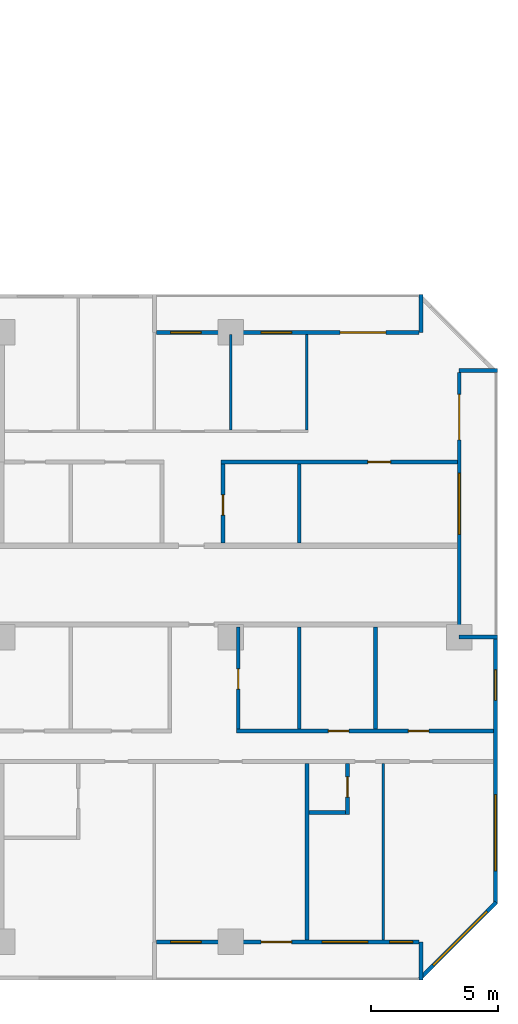
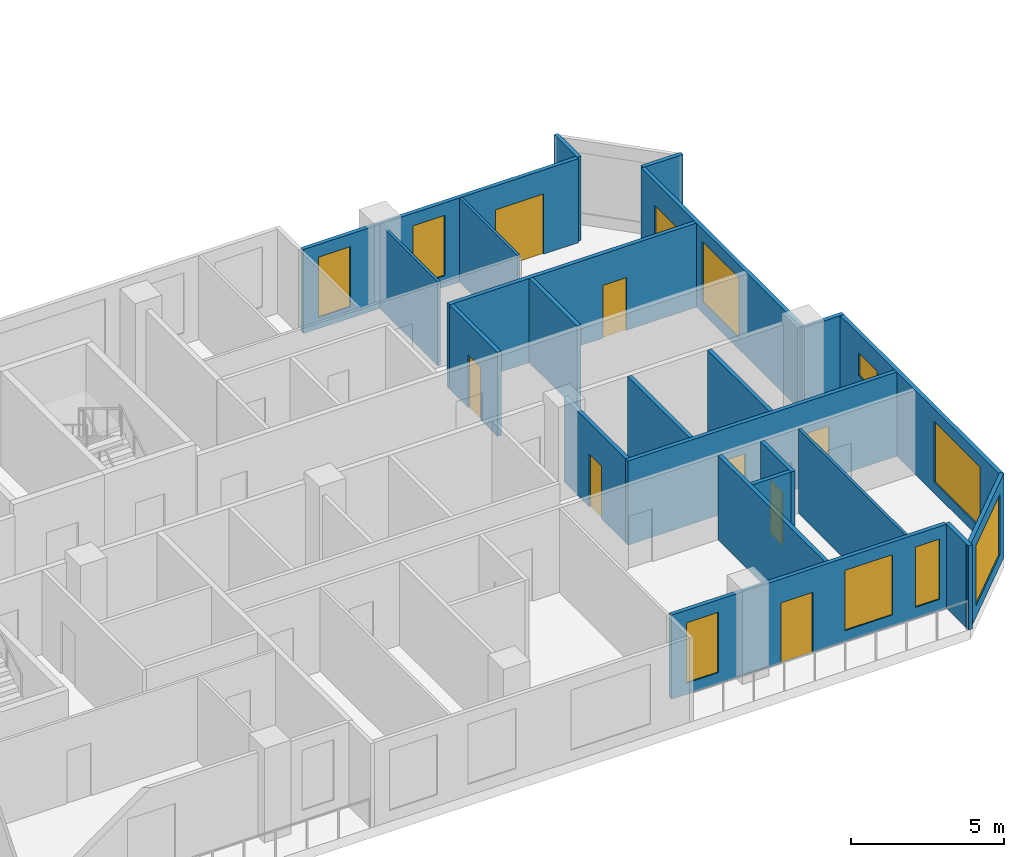
# One storey, part 12 of 15: 22 walls, 9 doors, 9 windows, 18 openings.
"""IFC4 building model written with IfcOpenShell, lengths in metres."""

from ifc_helpers import new_model, si_unit, direction, frame, frame_2d, origin, place, context, subcontext, project, spatial, rectangle, extrude, material, layer, layer_set, type_object, element, fill, save


model = new_model("IFC4")

# Units and contexts
model_context = context("Model", 3, precision=1e-05, world=origin(), true_north=direction((0.0, 1.0)))
body_context = subcontext(model_context, "Body", "Model", "MODEL_VIEW")
ifc_project = project(units=[si_unit("LENGTHUNIT", "METRE"), si_unit("AREAUNIT", "SQUARE_METRE"), si_unit("VOLUMEUNIT", "CUBIC_METRE"), si_unit("PLANEANGLEUNIT", "RADIAN"), si_unit("MASSUNIT", "GRAM", prefix="KILO")], contexts=[model_context])

# Site, building, storey
site_placement = place(None, origin())
site = spatial("IfcSite", under=ifc_project, at=site_placement, CompositionType="ELEMENT")
building_placement = place(site_placement, origin())
building = spatial("IfcBuilding", under=site, at=building_placement, Name="Chenar Terraces", CompositionType="ELEMENT")
storey_placement = place(building_placement, frame((0.0, 0.0, 118.14990234375)))
storey = spatial("IfcBuildingStorey", under=building, at=storey_placement, Name="L27", CompositionType="ELEMENT", Elevation=118.14990234375)

# Wall, openings, windows
ifc_material_1 = material(Name="Aluminium framed glazing", Category="aluminium")
ifc_layer_1 = layer(ifc_material_1, 0.14990234375)
ifc_layer_set_1 = layer_set([ifc_layer_1], Name="Aluminium framed glazing")
wall_type_1 = type_object("IfcWallType", Name="Glazed flush facade wall 150", PredefinedType="SOLIDWALL", material=ifc_layer_set_1)
wall_1_placement = place(storey_placement, frame((73.425048828125, 1.5, 0.0), z_axis=(0.0, 0.0, 1.0), x_axis=(0.0, 1.0, 0.0)))
wall_1 = element("IfcWall", 1, at=wall_1_placement, inside=storey, type_object=wall_type_1, Name="Glazed flush facade wall", PredefinedType="SOLIDWALL", context=body_context, shape_type="SweptSolid", body=[
    extrude(rectangle(XDim=10.425048828125, YDim=0.14990234375, at=frame_2d((5.21240234375, 0.0))), origin(), (0.0, 0.0, 1.0), 3.35009765625),
])
opening_1_placement = place(wall_1_placement, frame((1.300048828125, 0.0, 0.449951171875)))
opening_1 = element("IfcOpeningElement", 2, at=opening_1_placement, cuts=wall_1, Name="Opening W300x240", PredefinedType="OPENING", context=body_context, shape_type="SweptSolid", body=[
    extrude(rectangle(XDim=3.0, YDim=2.39990234375, at=frame_2d((1.5, 1.199951171875))), frame((0.0, 0.0849609375, 0.0), z_axis=(0.0, -1.0, 0.0), x_axis=(1.0, 0.0, 0.0)), (0.0, 0.0, 1.0), 0.169921875),
])
opening_2_placement = place(wall_1_placement, frame((8.012451171875, 0.0, 1.699951171875)))
opening_2 = element("IfcOpeningElement", 3, at=opening_2_placement, cuts=wall_1, Name="Opening W120x90", PredefinedType="OPENING", context=body_context, shape_type="SweptSolid", body=[
    extrude(rectangle(XDim=1.199951171875, YDim=0.89990234375, at=frame_2d((0.60009765625, 0.449951171875))), frame((0.0, 0.0849609375, 0.0), z_axis=(0.0, -1.0, 0.0), x_axis=(1.0, 0.0, 0.0)), (0.0, 0.0, 1.0), 0.169921875),
])
ifc_material_2 = material(Name="Low emissivity double glazing, aluminium frame", Category="aluminium")
window_type_1 = type_object("IfcWindowType", Name="Fixed light 1200 x 900", PartitioningType="SINGLE_PANEL", PredefinedType="WINDOW", material=ifc_material_2)
window_1_placement = place(opening_2_placement, origin())
window_1 = element("IfcWindow", 4, at=window_1_placement, inside=storey, type_object=window_type_1, Name="Window", OverallHeight=0.89990234375, OverallWidth=1.199951171875, PartitioningType="SINGLE_PANEL", PredefinedType="WINDOW", context=body_context, shape_type="SweptSolid", body=[
    extrude(rectangle(XDim=1.199951171875, YDim=0.89990234375, at=frame_2d((0.60009765625, 0.449951171875))), frame((0.0, 0.030029296875, 0.0), z_axis=(0.0, -1.0, 0.0), x_axis=(1.0, 0.0, 0.0)), (0.0, 0.0, 1.0), 0.06005859375),
])
fill(opening_2, window_1)
ifc_material_3 = material(Name="Low emissivity double glazing, aluminium frame", Category="aluminium")
window_type_2 = type_object("IfcWindowType", Name="Fixed light 3000 x 2400", PartitioningType="SINGLE_PANEL", PredefinedType="WINDOW", material=ifc_material_3)
window_2_placement = place(opening_1_placement, origin())
window_2 = element("IfcWindow", 5, at=window_2_placement, inside=storey, type_object=window_type_2, Name="Window", OverallHeight=2.39990234375, OverallWidth=3.0, PartitioningType="SINGLE_PANEL", PredefinedType="WINDOW", context=body_context, shape_type="SweptSolid", body=[
    extrude(rectangle(XDim=3.0, YDim=2.39990234375, at=frame_2d((1.5, 1.199951171875))), frame((0.0, 0.030029296875, 0.0), z_axis=(0.0, -1.0, 0.0), x_axis=(1.0, 0.0, 0.0)), (0.0, 0.0, 1.0), 0.06005859375),
])
fill(opening_1, window_2)

# Wall, openings, windows, door
ifc_material_4 = material(Name="Aluminium framed glazing", Category="aluminium")
ifc_layer_2 = layer(ifc_material_4, 0.14990234375)
ifc_layer_set_2 = layer_set([ifc_layer_2], Name="Aluminium framed glazing")
wall_type_2 = type_object("IfcWallType", Name="Glazed loggia back wall 150", PredefinedType="SOLIDWALL", material=ifc_layer_set_2)
wall_2_placement = place(storey_placement, frame((70.425048828125, 24.0, 0.0), z_axis=(0.0, 0.0, 1.0), x_axis=(-1.0, 0.0, 0.0)))
wall_2 = element("IfcWall", 6, at=wall_2_placement, inside=storey, type_object=wall_type_2, Name="Glazed loggia back wall", PredefinedType="SOLIDWALL", context=body_context, shape_type="SweptSolid", body=[
    extrude(rectangle(XDim=10.35009765625, YDim=0.14990234375, at=frame_2d((5.175048828125, 0.0))), origin(), (0.0, 0.0, 1.0), 3.35009765625),
])
opening_3_placement = place(wall_2_placement, frame((1.3125, 0.0, 0.0)))
opening_3 = element("IfcOpeningElement", 7, at=opening_3_placement, cuts=wall_2, Name="Opening DL27-G1", PredefinedType="OPENING", context=body_context, shape_type="SweptSolid", body=[
    extrude(rectangle(XDim=1.800048828125, YDim=2.39990234375, at=frame_2d((0.89990234375, 1.199951171875))), frame((0.0, 0.0849609375, 0.0), z_axis=(0.0, -1.0, 0.0), x_axis=(1.0, 0.0, 0.0)), (0.0, 0.0, 1.0), 0.169921875),
])
opening_4_placement = place(wall_2_placement, frame((5.02490234375, 0.0, 0.449951171875)))
opening_4 = element("IfcOpeningElement", 8, at=opening_4_placement, cuts=wall_2, Name="Opening W120x240", PredefinedType="OPENING", context=body_context, shape_type="SweptSolid", body=[
    extrude(rectangle(XDim=1.199951171875, YDim=2.39990234375, at=frame_2d((0.60009765625, 1.199951171875))), frame((0.0, 0.0849609375, 0.0), z_axis=(0.0, -1.0, 0.0), x_axis=(1.0, 0.0, 0.0)), (0.0, 0.0, 1.0), 0.169921875),
])
opening_5_placement = place(wall_2_placement, frame((8.58740234375, 0.0, 0.449951171875)))
opening_5 = element("IfcOpeningElement", 9, at=opening_5_placement, cuts=wall_2, Name="Opening W120x240", PredefinedType="OPENING", context=body_context, shape_type="SweptSolid", body=[
    extrude(rectangle(XDim=1.199951171875, YDim=2.39990234375, at=frame_2d((0.60009765625, 1.199951171875))), frame((0.0, 0.0849609375, 0.0), z_axis=(0.0, -1.0, 0.0), x_axis=(1.0, 0.0, 0.0)), (0.0, 0.0, 1.0), 0.169921875),
])
ifc_material_5 = material(Name="Low emissivity double glazing, aluminium frame", Category="aluminium")
window_type_3 = type_object("IfcWindowType", Name="Fixed light 1200 x 2400", PartitioningType="SINGLE_PANEL", PredefinedType="WINDOW", material=ifc_material_5)
window_3_placement = place(opening_4_placement, origin())
window_3 = element("IfcWindow", 10, at=window_3_placement, inside=storey, type_object=window_type_3, Name="Window", OverallHeight=2.39990234375, OverallWidth=1.199951171875, PartitioningType="SINGLE_PANEL", PredefinedType="WINDOW", context=body_context, shape_type="SweptSolid", body=[
    extrude(rectangle(XDim=1.199951171875, YDim=2.39990234375, at=frame_2d((0.60009765625, 1.199951171875))), frame((0.0, 0.030029296875, 0.0), z_axis=(0.0, -1.0, 0.0), x_axis=(1.0, 0.0, 0.0)), (0.0, 0.0, 1.0), 0.06005859375),
])
fill(opening_4, window_3)
window_4_placement = place(opening_5_placement, origin())
window_4 = element("IfcWindow", 11, at=window_4_placement, inside=storey, type_object=window_type_3, Name="Window", OverallHeight=2.39990234375, OverallWidth=1.199951171875, PartitioningType="SINGLE_PANEL", PredefinedType="WINDOW", context=body_context, shape_type="SweptSolid", body=[
    extrude(rectangle(XDim=1.199951171875, YDim=2.39990234375, at=frame_2d((0.60009765625, 1.199951171875))), frame((0.0, 0.030029296875, 0.0), z_axis=(0.0, -1.0, 0.0), x_axis=(1.0, 0.0, 0.0)), (0.0, 0.0, 1.0), 0.06005859375),
])
fill(opening_5, window_4)
ifc_material_6 = material(Name="Low emissivity double glazing, aluminium frame", Category="aluminium")
door_type_1 = type_object("IfcDoorType", Name="Loggia glazed double door 1800 x 2400", OperationType="DOUBLE_DOOR_SINGLE_SWING", PredefinedType="DOOR", material=ifc_material_6)
door_1_placement = place(opening_3_placement, frame((1.800048828125, 0.0, 0.0), z_axis=(0.0, 0.0, 1.0), x_axis=(-1.0, 0.0, 0.0)))
door_1 = element("IfcDoor", 12, at=door_1_placement, inside=storey, type_object=door_type_1, Name="Loggia glazed door", OperationType="DOUBLE_DOOR_SINGLE_SWING", OverallHeight=2.39990234375, OverallWidth=1.800048828125, PredefinedType="DOOR", context=body_context, shape_type="SweptSolid", body=[
    extrude(rectangle(XDim=1.800048828125, YDim=2.39990234375, at=frame_2d((0.89990234375, 1.199951171875))), frame((0.0, 0.02490234375, 0.0), z_axis=(0.0, -1.0, 0.0), x_axis=(1.0, 0.0, 0.0)), (0.0, 0.0, 1.0), 0.050048828125),
])
fill(opening_3, door_1)

wall_3_placement = place(storey_placement, frame((60.074951171875, 0.0, 0.0), z_axis=(0.0, 0.0, 1.0), x_axis=(1.0, 0.0, 0.0)))
wall_3 = element("IfcWall", 13, at=wall_3_placement, inside=storey, type_object=wall_type_2, Name="Glazed loggia back wall", PredefinedType="SOLIDWALL", context=body_context, shape_type="SweptSolid", body=[
    extrude(rectangle(XDim=10.35009765625, YDim=0.14990234375, at=frame_2d((5.175048828125, 0.0))), origin(), (0.0, 0.0, 1.0), 3.35009765625),
])
opening_6_placement = place(wall_3_placement, frame((0.5625, 0.0, 0.449951171875)))
opening_6 = element("IfcOpeningElement", 14, at=opening_6_placement, cuts=wall_3, Name="Opening W120x240", PredefinedType="OPENING", context=body_context, shape_type="SweptSolid", body=[
    extrude(rectangle(XDim=1.199951171875, YDim=2.39990234375, at=frame_2d((0.60009765625, 1.199951171875))), frame((0.0, 0.0849609375, 0.0), z_axis=(0.0, -1.0, 0.0), x_axis=(1.0, 0.0, 0.0)), (0.0, 0.0, 1.0), 0.169921875),
])
opening_7_placement = place(wall_3_placement, frame((4.125, 0.0, 0.0)))
opening_7 = element("IfcOpeningElement", 15, at=opening_7_placement, cuts=wall_3, Name="Opening DL27-G8", PredefinedType="OPENING", context=body_context, shape_type="SweptSolid", body=[
    extrude(rectangle(XDim=1.199951171875, YDim=2.39990234375, at=frame_2d((0.60009765625, 1.199951171875))), frame((0.0, 0.0849609375, 0.0), z_axis=(0.0, -1.0, 0.0), x_axis=(1.0, 0.0, 0.0)), (0.0, 0.0, 1.0), 0.169921875),
])
opening_8_placement = place(wall_3_placement, frame((6.52490234375, 0.0, 0.449951171875)))
opening_8 = element("IfcOpeningElement", 16, at=opening_8_placement, cuts=wall_3, Name="Opening W180x240", PredefinedType="OPENING", context=body_context, shape_type="SweptSolid", body=[
    extrude(rectangle(XDim=1.800048828125, YDim=2.39990234375, at=frame_2d((0.89990234375, 1.199951171875))), frame((0.0, 0.0849609375, 0.0), z_axis=(0.0, -1.0, 0.0), x_axis=(1.0, 0.0, 0.0)), (0.0, 0.0, 1.0), 0.169921875),
])
opening_9_placement = place(wall_3_placement, frame((9.1875, 0.0, 0.449951171875)))
opening_9 = element("IfcOpeningElement", 17, at=opening_9_placement, cuts=wall_3, Name="Opening W90x240", PredefinedType="OPENING", context=body_context, shape_type="SweptSolid", body=[
    extrude(rectangle(XDim=0.89990234375, YDim=2.39990234375, at=frame_2d((0.449951171875, 1.199951171875))), frame((0.0, 0.0849609375, 0.0), z_axis=(0.0, -1.0, 0.0), x_axis=(1.0, 0.0, 0.0)), (0.0, 0.0, 1.0), 0.169921875),
])
window_5_placement = place(opening_6_placement, origin())
window_5 = element("IfcWindow", 18, at=window_5_placement, inside=storey, type_object=window_type_3, Name="Window", OverallHeight=2.39990234375, OverallWidth=1.199951171875, PartitioningType="SINGLE_PANEL", PredefinedType="WINDOW", context=body_context, shape_type="SweptSolid", body=[
    extrude(rectangle(XDim=1.199951171875, YDim=2.39990234375, at=frame_2d((0.60009765625, 1.199951171875))), frame((0.0, 0.030029296875, 0.0), z_axis=(0.0, -1.0, 0.0), x_axis=(1.0, 0.0, 0.0)), (0.0, 0.0, 1.0), 0.06005859375),
])
fill(opening_6, window_5)
ifc_material_7 = material(Name="Low emissivity double glazing, aluminium frame", Category="aluminium")
window_type_4 = type_object("IfcWindowType", Name="Fixed light 1800 x 2400", PartitioningType="SINGLE_PANEL", PredefinedType="WINDOW", material=ifc_material_7)
window_6_placement = place(opening_8_placement, origin())
window_6 = element("IfcWindow", 19, at=window_6_placement, inside=storey, type_object=window_type_4, Name="Window", OverallHeight=2.39990234375, OverallWidth=1.800048828125, PartitioningType="SINGLE_PANEL", PredefinedType="WINDOW", context=body_context, shape_type="SweptSolid", body=[
    extrude(rectangle(XDim=1.800048828125, YDim=2.39990234375, at=frame_2d((0.89990234375, 1.199951171875))), frame((0.0, 0.030029296875, 0.0), z_axis=(0.0, -1.0, 0.0), x_axis=(1.0, 0.0, 0.0)), (0.0, 0.0, 1.0), 0.06005859375),
])
fill(opening_8, window_6)
ifc_material_8 = material(Name="Low emissivity double glazing, aluminium frame", Category="aluminium")
window_type_5 = type_object("IfcWindowType", Name="Fixed light 900 x 2400", PartitioningType="SINGLE_PANEL", PredefinedType="WINDOW", material=ifc_material_8)
window_7_placement = place(opening_9_placement, origin())
window_7 = element("IfcWindow", 20, at=window_7_placement, inside=storey, type_object=window_type_5, Name="Window", OverallHeight=2.39990234375, OverallWidth=0.89990234375, PartitioningType="SINGLE_PANEL", PredefinedType="WINDOW", context=body_context, shape_type="SweptSolid", body=[
    extrude(rectangle(XDim=0.89990234375, YDim=2.39990234375, at=frame_2d((0.449951171875, 1.199951171875))), frame((0.0, 0.030029296875, 0.0), z_axis=(0.0, -1.0, 0.0), x_axis=(1.0, 0.0, 0.0)), (0.0, 0.0, 1.0), 0.06005859375),
])
fill(opening_9, window_7)
ifc_material_9 = material(Name="Low emissivity double glazing, aluminium frame", Category="aluminium")
door_type_2 = type_object("IfcDoorType", Name="Loggia glazed double door 1200 x 2400", OperationType="DOUBLE_DOOR_SINGLE_SWING", PredefinedType="DOOR", material=ifc_material_9)
door_2_placement = place(opening_7_placement, frame((1.199951171875, 0.0, 0.0), z_axis=(0.0, 0.0, 1.0), x_axis=(-1.0, 0.0, 0.0)))
door_2 = element("IfcDoor", 21, at=door_2_placement, inside=storey, type_object=door_type_2, Name="Loggia glazed door", OperationType="DOUBLE_DOOR_SINGLE_SWING", OverallHeight=2.39990234375, OverallWidth=1.199951171875, PredefinedType="DOOR", context=body_context, shape_type="SweptSolid", body=[
    extrude(rectangle(XDim=1.199951171875, YDim=2.39990234375, at=frame_2d((0.60009765625, 1.199951171875))), frame((0.0, 0.02490234375, 0.0), z_axis=(0.0, -1.0, 0.0), x_axis=(1.0, 0.0, 0.0)), (0.0, 0.0, 1.0), 0.050048828125),
])
fill(opening_7, door_2)

# Wall, openings, window, door
wall_4_placement = place(storey_placement, frame((72.0, 12.074951171875, 0.0), z_axis=(0.0, 0.0, 1.0), x_axis=(0.0, 1.0, 0.0)))
wall_4 = element("IfcWall", 22, at=wall_4_placement, inside=storey, type_object=wall_type_2, Name="Glazed loggia back wall", PredefinedType="SOLIDWALL", context=body_context, shape_type="SweptSolid", body=[
    extrude(rectangle(XDim=10.35009765625, YDim=0.14990234375, at=frame_2d((5.175048828125, 0.0))), origin(), (0.0, 0.0, 1.0), 3.35009765625),
])
opening_10_placement = place(wall_4_placement, frame((3.97509765625, 0.0, 0.449951171875)))
opening_10 = element("IfcOpeningElement", 23, at=opening_10_placement, cuts=wall_4, Name="Opening W240x240", PredefinedType="OPENING", context=body_context, shape_type="SweptSolid", body=[
    extrude(rectangle(XDim=2.39990234375, YDim=2.39990234375, at=frame_2d((1.199951171875, 1.199951171875))), frame((0.0, 0.0849609375, 0.0), z_axis=(0.0, -1.0, 0.0), x_axis=(1.0, 0.0, 0.0)), (0.0, 0.0, 1.0), 0.169921875),
])
opening_11_placement = place(wall_4_placement, frame((7.6875, 0.0, 0.0)))
opening_11 = element("IfcOpeningElement", 24, at=opening_11_placement, cuts=wall_4, Name="Opening DL27-G9", PredefinedType="OPENING", context=body_context, shape_type="SweptSolid", body=[
    extrude(rectangle(XDim=1.800048828125, YDim=2.39990234375, at=frame_2d((0.89990234375, 1.199951171875))), frame((0.0, 0.0849609375, 0.0), z_axis=(0.0, -1.0, 0.0), x_axis=(1.0, 0.0, 0.0)), (0.0, 0.0, 1.0), 0.169921875),
])
ifc_material_10 = material(Name="Low emissivity double glazing, aluminium frame", Category="aluminium")
window_type_6 = type_object("IfcWindowType", Name="Fixed light 2400 x 2400", PartitioningType="SINGLE_PANEL", PredefinedType="WINDOW", material=ifc_material_10)
window_8_placement = place(opening_10_placement, origin())
window_8 = element("IfcWindow", 25, at=window_8_placement, inside=storey, type_object=window_type_6, Name="Window", OverallHeight=2.39990234375, OverallWidth=2.39990234375, PartitioningType="SINGLE_PANEL", PredefinedType="WINDOW", context=body_context, shape_type="SweptSolid", body=[
    extrude(rectangle(XDim=2.39990234375, YDim=2.39990234375, at=frame_2d((1.199951171875, 1.199951171875))), frame((0.0, 0.030029296875, 0.0), z_axis=(0.0, -1.0, 0.0), x_axis=(1.0, 0.0, 0.0)), (0.0, 0.0, 1.0), 0.06005859375),
])
fill(opening_10, window_8)
door_3_placement = place(opening_11_placement, frame((1.800048828125, 0.0, 0.0), z_axis=(0.0, 0.0, 1.0), x_axis=(-1.0, 0.0, 0.0)))
door_3 = element("IfcDoor", 26, at=door_3_placement, inside=storey, type_object=door_type_1, Name="Loggia glazed door", OperationType="DOUBLE_DOOR_SINGLE_SWING", OverallHeight=2.39990234375, OverallWidth=1.800048828125, PredefinedType="DOOR", context=body_context, shape_type="SweptSolid", body=[
    extrude(rectangle(XDim=1.800048828125, YDim=2.39990234375, at=frame_2d((0.89990234375, 1.199951171875))), frame((0.0, 0.02490234375, 0.0), z_axis=(0.0, -1.0, 0.0), x_axis=(1.0, 0.0, 0.0)), (0.0, 0.0, 1.0), 0.050048828125),
])
fill(opening_11, door_3)

# Walls
ifc_material_11 = material(Name="Gypsum board on steel studs", Category="steel")
ifc_layer_3 = layer(ifc_material_11, 0.10009765625)
ifc_layer_set_3 = layer_set([ifc_layer_3], Name="Gypsum board on steel studs")
wall_type_3 = type_object("IfcWallType", Name="Gypsum partition 100", PredefinedType="PARTITIONING", material=ifc_layer_set_3)
for number, where, z_axis, x_axis, name in (
    (27, (63.0, 20.14990234375, 0.0), (0.0, 0.0, 1.0), (0.0, 1.0, 0.0), "Partition L27-093"),
    (28, (66.0, 20.14990234375, 0.0), (0.0, 0.0, 1.0), (0.0, 1.0, 0.0), "Partition L27-099"),
):
    element("IfcWall", number, at=place(storey_placement, frame(where, z_axis=z_axis, x_axis=x_axis)), inside=storey, type_object=wall_type_3, Name=name, PredefinedType="PARTITIONING", context=body_context, shape_type="SweptSolid", body=[
        extrude(rectangle(XDim=3.776123046875, YDim=0.10009765625, at=frame_2d((1.88818359375, 0.0))), origin(), (0.0, 0.0, 1.0), 3.35009765625),
    ])
wall_5_placement = place(storey_placement, frame((69.0, 0.073974609375, 0.0), z_axis=(0.0, 0.0, 1.0), x_axis=(0.0, 1.0, 0.0)))
element("IfcWall", 29, at=wall_5_placement, inside=storey, type_object=wall_type_3, Name="Partition L27-103", PredefinedType="PARTITIONING", context=body_context, shape_type="SweptSolid", body=[
    extrude(rectangle(XDim=6.950927734375, YDim=0.10009765625, at=frame_2d((3.4755859375, 0.0))), origin(), (0.0, 0.0, 1.0), 3.35009765625),
])
ifc_material_12 = material(Name="Terracotta cladding on insulated backing", Category="masonry")
ifc_layer_4 = layer(ifc_material_12, 0.14990234375)
ifc_layer_set_4 = layer_set([ifc_layer_4], Name="Terracotta cladding on insulated backing")
wall_type_4 = type_object("IfcWallType", Name="Loggia return wall 150", PredefinedType="SOLIDWALL", material=ifc_layer_set_4)
for number, where, z_axis, x_axis, name in (
    (30, (70.5, 25.5, 0.0), (0.0, 0.0, 1.0), (0.0, -1.0, 0.0), "Loggia return wall"),
    (31, (70.5, -1.5, 0.0), (0.0, 0.0, 1.0), (0.0, 1.0, 0.0), "Loggia return wall"),
    (32, (73.5, 12.0, 0.0), (0.0, 0.0, 1.0), (-1.0, 0.0, 0.0), "Loggia return wall"),
    (33, (73.5, 22.5, 0.0), (0.0, 0.0, 1.0), (-1.0, 0.0, 0.0), "Loggia return wall"),
):
    element("IfcWall", number, at=place(storey_placement, frame(where, z_axis=z_axis, x_axis=x_axis)), inside=storey, type_object=wall_type_4, Name=name, PredefinedType="SOLIDWALL", context=body_context, shape_type="SweptSolid", body=[
        extrude(rectangle(XDim=1.5, YDim=0.14990234375, at=frame_2d((0.75, 0.0))), origin(), (0.0, 0.0, 1.0), 3.35009765625),
    ])

# Wall, opening, window
ifc_material_13 = material(Name="Terracotta cladding on insulated backing", Category="masonry")
ifc_layer_5 = layer(ifc_material_13, 0.14990234375)
ifc_layer_set_5 = layer_set([ifc_layer_5], Name="Terracotta cladding on insulated backing")
wall_type_5 = type_object("IfcWallType", Name="Terracotta rainscreen wall 150", PredefinedType="SOLIDWALL", material=ifc_layer_set_5)
wall_6_placement = place(storey_placement, frame((70.447021484375, -1.447021484375, 0.0), z_axis=(0.0, 0.0, 1.0), x_axis=(0.707106781187, 0.707106781187, 0.0)))
wall_6 = element("IfcWall", 34, at=wall_6_placement, inside=storey, type_object=wall_type_5, Name="Terracotta rainscreen wall", PredefinedType="SOLIDWALL", context=body_context, shape_type="SweptSolid", body=[
    extrude(rectangle(XDim=4.24267578125, YDim=0.14990234375, at=frame_2d((2.121337890625, 0.0))), origin(), (0.0, 0.0, 1.0), 3.35009765625),
])
opening_12_placement = place(wall_6_placement, frame((0.744384765625, 0.0, 0.449951171875)))
opening_12 = element("IfcOpeningElement", 35, at=opening_12_placement, cuts=wall_6, Name="Opening W300x240", PredefinedType="OPENING", context=body_context, shape_type="SweptSolid", body=[
    extrude(rectangle(XDim=3.0, YDim=2.39990234375, at=frame_2d((1.5, 1.199951171875))), frame((0.0, 0.0849609375, 0.0), z_axis=(0.0, -1.0, 0.0), x_axis=(1.0, 0.0, 0.0)), (0.0, 0.0, 1.0), 0.169921875),
])
window_9_placement = place(opening_12_placement, origin())
window_9 = element("IfcWindow", 36, at=window_9_placement, inside=storey, type_object=window_type_2, Name="Window", OverallHeight=2.39990234375, OverallWidth=3.0, PartitioningType="SINGLE_PANEL", PredefinedType="WINDOW", context=body_context, shape_type="SweptSolid", body=[
    extrude(rectangle(XDim=3.0, YDim=2.39990234375, at=frame_2d((1.5, 1.199951171875))), frame((0.0, 0.030029296875, 0.0), z_axis=(0.0, -1.0, 0.0), x_axis=(1.0, 0.0, 0.0)), (0.0, 0.0, 1.0), 0.06005859375),
])
fill(opening_12, window_9)

# Wall, opening, door
ifc_material_14 = material(Name="Moisture-resistant gypsum board on steel studs", Category="steel")
ifc_layer_6 = layer(ifc_material_14, 0.14990234375)
ifc_layer_set_6 = layer_set([ifc_layer_6], Name="Moisture-resistant gypsum board on steel studs")
wall_type_6 = type_object("IfcWallType", Name="Wet-room partition 150", PredefinedType="PARTITIONING", material=ifc_layer_set_6)
wall_7_placement = place(storey_placement, frame((62.625, 18.89990234375, 0.0), z_axis=(0.0, 0.0, 1.0), x_axis=(1.0, 0.0, 0.0)))
wall_7 = element("IfcWall", 37, at=wall_7_placement, inside=storey, type_object=wall_type_6, Name="Partition L27-091", PredefinedType="PARTITIONING", context=body_context, shape_type="SweptSolid", body=[
    extrude(rectangle(XDim=9.301025390625, YDim=0.14990234375, at=frame_2d((4.650390625, 0.0))), origin(), (0.0, 0.0, 1.0), 3.35009765625),
])
opening_13_placement = place(wall_7_placement, frame((5.77490234375, 0.0, 0.0)))
opening_13 = element("IfcOpeningElement", 38, at=opening_13_placement, cuts=wall_7, Name="Opening DL27-8", PredefinedType="OPENING", context=body_context, shape_type="SweptSolid", body=[
    extrude(rectangle(XDim=0.89990234375, YDim=2.10009765625, at=frame_2d((0.449951171875, 1.050048828125))), frame((0.0, 0.0849609375, 0.0), z_axis=(0.0, -1.0, 0.0), x_axis=(1.0, 0.0, 0.0)), (0.0, 0.0, 1.0), 0.169921875),
])
ifc_material_15 = material(Name="Veneered timber door leaf", Category="wood")
door_type_3 = type_object("IfcDoorType", Name="Door 900 x 2100", OperationType="SINGLE_SWING_LEFT", PredefinedType="DOOR", material=ifc_material_15)
door_4_placement = place(opening_13_placement, frame((0.89990234375, 0.0, 0.0), z_axis=(0.0, 0.0, 1.0), x_axis=(-1.0, 0.0, 0.0)))
door_4 = element("IfcDoor", 39, at=door_4_placement, inside=storey, type_object=door_type_3, Name="Door DL27-8", OperationType="SINGLE_SWING_LEFT", OverallHeight=2.10009765625, OverallWidth=0.89990234375, PredefinedType="DOOR", context=body_context, shape_type="SweptSolid", body=[
    extrude(rectangle(XDim=0.89990234375, YDim=2.10009765625, at=frame_2d((0.449951171875, 1.050048828125))), frame((0.0, 0.02490234375, 0.0), z_axis=(0.0, -1.0, 0.0), x_axis=(1.0, 0.0, 0.0)), (0.0, 0.0, 1.0), 0.050048828125),
])
fill(opening_13, door_4)

wall_8_placement = place(storey_placement, frame((62.699951171875, 15.699951171875, 0.0), z_axis=(0.0, 0.0, 1.0), x_axis=(0.0, 1.0, 0.0)))
wall_8 = element("IfcWall", 40, at=wall_8_placement, inside=storey, type_object=wall_type_6, Name="Partition L27-092", PredefinedType="PARTITIONING", context=body_context, shape_type="SweptSolid", body=[
    extrude(rectangle(XDim=3.125, YDim=0.14990234375, at=frame_2d((1.5625, 0.0))), origin(), (0.0, 0.0, 1.0), 3.35009765625),
])
opening_14_placement = place(wall_8_placement, frame((1.10009765625, 0.0, 0.0)))
opening_14 = element("IfcOpeningElement", 41, at=opening_14_placement, cuts=wall_8, Name="Opening DL27-12", PredefinedType="OPENING", context=body_context, shape_type="SweptSolid", body=[
    extrude(rectangle(XDim=0.800048828125, YDim=2.10009765625, at=frame_2d((0.39990234375, 1.050048828125))), frame((0.0, 0.0849609375, 0.0), z_axis=(0.0, -1.0, 0.0), x_axis=(1.0, 0.0, 0.0)), (0.0, 0.0, 1.0), 0.169921875),
])
ifc_material_16 = material(Name="Veneered timber door leaf", Category="wood")
door_type_4 = type_object("IfcDoorType", Name="Door 800 x 2100", OperationType="SINGLE_SWING_LEFT", PredefinedType="DOOR", material=ifc_material_16)
door_5_placement = place(opening_14_placement, frame((0.800048828125, 0.0, 0.0), z_axis=(0.0, 0.0, 1.0), x_axis=(-1.0, 0.0, 0.0)))
door_5 = element("IfcDoor", 42, at=door_5_placement, inside=storey, type_object=door_type_4, Name="Door DL27-12", OperationType="SINGLE_SWING_RIGHT", OverallHeight=2.10009765625, OverallWidth=0.800048828125, PredefinedType="DOOR", context=body_context, shape_type="SweptSolid", body=[
    extrude(rectangle(XDim=0.800048828125, YDim=2.10009765625, at=frame_2d((0.39990234375, 1.050048828125))), frame((0.0, 0.02490234375, 0.0), z_axis=(0.0, -1.0, 0.0), x_axis=(1.0, 0.0, 0.0)), (0.0, 0.0, 1.0), 0.050048828125),
])
fill(opening_14, door_5)

# Wall, openings, doors
wall_9_placement = place(storey_placement, frame((63.22509765625, 8.300048828125, 0.0), z_axis=(0.0, 0.0, 1.0), x_axis=(1.0, 0.0, 0.0)))
wall_9 = element("IfcWall", 43, at=wall_9_placement, inside=storey, type_object=wall_type_6, Name="Partition L27-094", PredefinedType="PARTITIONING", context=body_context, shape_type="SweptSolid", body=[
    extrude(rectangle(XDim=10.125, YDim=0.14990234375, at=frame_2d((5.0625, 0.0))), origin(), (0.0, 0.0, 1.0), 3.35009765625),
])
opening_15_placement = place(wall_9_placement, frame((6.77490234375, 0.0, 0.0)))
opening_15 = element("IfcOpeningElement", 44, at=opening_15_placement, cuts=wall_9, Name="Opening DL27-23", PredefinedType="OPENING", context=body_context, shape_type="SweptSolid", body=[
    extrude(rectangle(XDim=0.800048828125, YDim=2.10009765625, at=frame_2d((0.39990234375, 1.050048828125))), frame((0.0, 0.0849609375, 0.0), z_axis=(0.0, -1.0, 0.0), x_axis=(1.0, 0.0, 0.0)), (0.0, 0.0, 1.0), 0.169921875),
])
opening_16_placement = place(wall_9_placement, frame((3.625, 0.0, 0.0)))
opening_16 = element("IfcOpeningElement", 45, at=opening_16_placement, cuts=wall_9, Name="Opening DL27-28", PredefinedType="OPENING", context=body_context, shape_type="SweptSolid", body=[
    extrude(rectangle(XDim=0.800048828125, YDim=2.10009765625, at=frame_2d((0.39990234375, 1.050048828125))), frame((0.0, 0.0849609375, 0.0), z_axis=(0.0, -1.0, 0.0), x_axis=(1.0, 0.0, 0.0)), (0.0, 0.0, 1.0), 0.169921875),
])
door_6_placement = place(opening_15_placement, origin())
door_6 = element("IfcDoor", 46, at=door_6_placement, inside=storey, type_object=door_type_4, Name="Door DL27-23", OperationType="SINGLE_SWING_LEFT", OverallHeight=2.10009765625, OverallWidth=0.800048828125, PredefinedType="DOOR", context=body_context, shape_type="SweptSolid", body=[
    extrude(rectangle(XDim=0.800048828125, YDim=2.10009765625, at=frame_2d((0.39990234375, 1.050048828125))), frame((0.0, 0.02490234375, 0.0), z_axis=(0.0, -1.0, 0.0), x_axis=(1.0, 0.0, 0.0)), (0.0, 0.0, 1.0), 0.050048828125),
])
fill(opening_15, door_6)
door_7_placement = place(opening_16_placement, origin())
door_7 = element("IfcDoor", 47, at=door_7_placement, inside=storey, type_object=door_type_4, Name="Door DL27-28", OperationType="SINGLE_SWING_RIGHT", OverallHeight=2.10009765625, OverallWidth=0.800048828125, PredefinedType="DOOR", context=body_context, shape_type="SweptSolid", body=[
    extrude(rectangle(XDim=0.800048828125, YDim=2.10009765625, at=frame_2d((0.39990234375, 1.050048828125))), frame((0.0, 0.02490234375, 0.0), z_axis=(0.0, -1.0, 0.0), x_axis=(1.0, 0.0, 0.0)), (0.0, 0.0, 1.0), 0.050048828125),
])
fill(opening_16, door_7)

# Wall, opening, door
wall_10_placement = place(storey_placement, frame((63.300048828125, 8.375, 0.0), z_axis=(0.0, 0.0, 1.0), x_axis=(0.0, 1.0, 0.0)))
wall_10 = element("IfcWall", 48, at=wall_10_placement, inside=storey, type_object=wall_type_6, Name="Partition L27-095", PredefinedType="PARTITIONING", context=body_context, shape_type="SweptSolid", body=[
    extrude(rectangle(XDim=4.02490234375, YDim=0.14990234375, at=frame_2d((2.012451171875, 0.0))), origin(), (0.0, 0.0, 1.0), 3.35009765625),
])
opening_17_placement = place(wall_10_placement, frame((1.574951171875, 0.0, 0.0)))
opening_17 = element("IfcOpeningElement", 49, at=opening_17_placement, cuts=wall_10, Name="Opening DL27-22", PredefinedType="OPENING", context=body_context, shape_type="SweptSolid", body=[
    extrude(rectangle(XDim=0.800048828125, YDim=2.10009765625, at=frame_2d((0.39990234375, 1.050048828125))), frame((0.0, 0.0849609375, 0.0), z_axis=(0.0, -1.0, 0.0), x_axis=(1.0, 0.0, 0.0)), (0.0, 0.0, 1.0), 0.169921875),
])
door_8_placement = place(opening_17_placement, frame((0.800048828125, 0.0, 0.0), z_axis=(0.0, 0.0, 1.0), x_axis=(-1.0, 0.0, 0.0)))
door_8 = element("IfcDoor", 50, at=door_8_placement, inside=storey, type_object=door_type_4, Name="Door DL27-22", OperationType="SINGLE_SWING_LEFT", OverallHeight=2.10009765625, OverallWidth=0.800048828125, PredefinedType="DOOR", context=body_context, shape_type="SweptSolid", body=[
    extrude(rectangle(XDim=0.800048828125, YDim=2.10009765625, at=frame_2d((0.39990234375, 1.050048828125))), frame((0.0, 0.02490234375, 0.0), z_axis=(0.0, -1.0, 0.0), x_axis=(1.0, 0.0, 0.0)), (0.0, 0.0, 1.0), 0.050048828125),
])
fill(opening_17, door_8)

# Walls
wall_11_placement = place(storey_placement, frame((65.699951171875, 8.375, 0.0), z_axis=(0.0, 0.0, 1.0), x_axis=(0.0, 1.0, 0.0)))
element("IfcWall", 51, at=wall_11_placement, inside=storey, type_object=wall_type_6, Name="Partition L27-096", PredefinedType="PARTITIONING", context=body_context, shape_type="SweptSolid", body=[
    extrude(rectangle(XDim=4.02490234375, YDim=0.14990234375, at=frame_2d((2.012451171875, 0.0))), origin(), (0.0, 0.0, 1.0), 3.35009765625),
])
wall_12_placement = place(storey_placement, frame((65.699951171875, 15.699951171875, 0.0), z_axis=(0.0, 0.0, 1.0), x_axis=(0.0, 1.0, 0.0)))
element("IfcWall", 52, at=wall_12_placement, inside=storey, type_object=wall_type_6, Name="Partition L27-097", PredefinedType="PARTITIONING", context=body_context, shape_type="SweptSolid", body=[
    extrude(rectangle(XDim=3.125, YDim=0.14990234375, at=frame_2d((1.5625, 0.0))), origin(), (0.0, 0.0, 1.0), 3.35009765625),
])
wall_13_placement = place(storey_placement, frame((66.0, 0.073974609375, 0.0), z_axis=(0.0, 0.0, 1.0), x_axis=(0.0, 1.0, 0.0)))
element("IfcWall", 53, at=wall_13_placement, inside=storey, type_object=wall_type_6, Name="Partition L27-098", PredefinedType="PARTITIONING", context=body_context, shape_type="SweptSolid", body=[
    extrude(rectangle(XDim=6.950927734375, YDim=0.14990234375, at=frame_2d((3.4755859375, 0.0))), origin(), (0.0, 0.0, 1.0), 3.35009765625),
])
wall_14_placement = place(storey_placement, frame((66.074951171875, 5.10009765625, 0.0), z_axis=(0.0, 0.0, 1.0), x_axis=(1.0, 0.0, 0.0)))
element("IfcWall", 54, at=wall_14_placement, inside=storey, type_object=wall_type_6, Name="Partition L27-100", PredefinedType="PARTITIONING", context=body_context, shape_type="SweptSolid", body=[
    extrude(rectangle(XDim=1.449951171875, YDim=0.14990234375, at=frame_2d((0.72509765625, 0.0))), origin(), (0.0, 0.0, 1.0), 3.35009765625),
])

# Wall, opening, door
wall_15_placement = place(storey_placement, frame((67.60009765625, 5.02490234375, 0.0), z_axis=(0.0, 0.0, 1.0), x_axis=(0.0, 1.0, 0.0)))
wall_15 = element("IfcWall", 55, at=wall_15_placement, inside=storey, type_object=wall_type_6, Name="Partition L27-101", PredefinedType="PARTITIONING", context=body_context, shape_type="SweptSolid", body=[
    extrude(rectangle(XDim=2.0, YDim=0.14990234375, at=frame_2d((1.0, 0.0))), origin(), (0.0, 0.0, 1.0), 3.35009765625),
])
opening_18_placement = place(wall_15_placement, frame((0.675048828125, 0.0, 0.0)))
opening_18 = element("IfcOpeningElement", 56, at=opening_18_placement, cuts=wall_15, Name="Opening DL27-26", PredefinedType="OPENING", context=body_context, shape_type="SweptSolid", body=[
    extrude(rectangle(XDim=0.800048828125, YDim=2.10009765625, at=frame_2d((0.39990234375, 1.050048828125))), frame((0.0, 0.0849609375, 0.0), z_axis=(0.0, -1.0, 0.0), x_axis=(1.0, 0.0, 0.0)), (0.0, 0.0, 1.0), 0.169921875),
])
door_9_placement = place(opening_18_placement, origin())
door_9 = element("IfcDoor", 57, at=door_9_placement, inside=storey, type_object=door_type_4, Name="Door DL27-26", OperationType="SINGLE_SWING_LEFT", OverallHeight=2.10009765625, OverallWidth=0.800048828125, PredefinedType="DOOR", context=body_context, shape_type="SweptSolid", body=[
    extrude(rectangle(XDim=0.800048828125, YDim=2.10009765625, at=frame_2d((0.39990234375, 1.050048828125))), frame((0.0, 0.02490234375, 0.0), z_axis=(0.0, -1.0, 0.0), x_axis=(1.0, 0.0, 0.0)), (0.0, 0.0, 1.0), 0.050048828125),
])
fill(opening_18, door_9)

# Wall
wall_16_placement = place(storey_placement, frame((68.699951171875, 8.375, 0.0), z_axis=(0.0, 0.0, 1.0), x_axis=(0.0, 1.0, 0.0)))
element("IfcWall", 58, at=wall_16_placement, inside=storey, type_object=wall_type_6, Name="Partition L27-102", PredefinedType="PARTITIONING", context=body_context, shape_type="SweptSolid", body=[
    extrude(rectangle(XDim=4.02490234375, YDim=0.14990234375, at=frame_2d((2.012451171875, 0.0))), origin(), (0.0, 0.0, 1.0), 3.35009765625),
])

save(model, "model.ifc")
